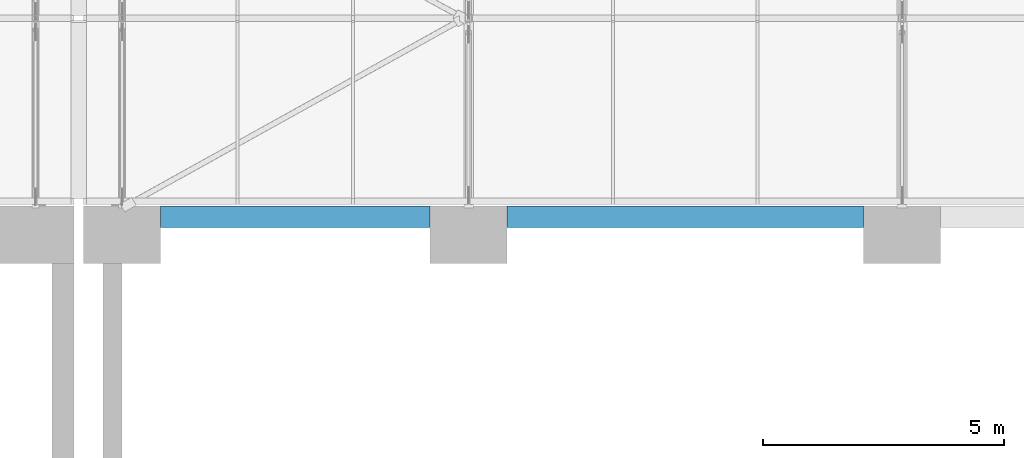
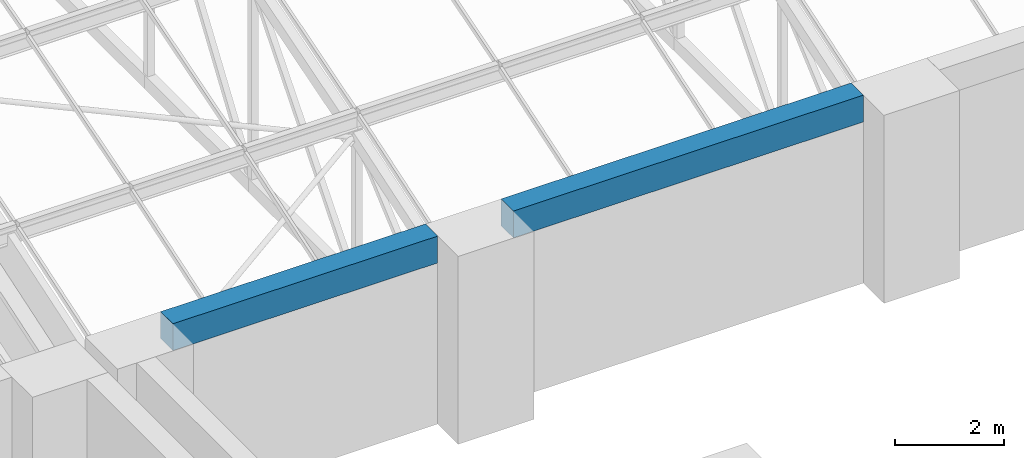
# One storey, part 4 of 82: 2 beams.
"""IFC4 building model written with IfcOpenShell, lengths in metres."""

from ifc_helpers import new_model, si_unit, direction, frame, origin, origin_2d, place, context, subcontext, project, spatial, rectangle, extrude, material, material_profile, profile_set, type_object, element, save


model = new_model("IFC4")

# Units and contexts
model_context = context("Model", 3, precision=1e-05, world=origin(), true_north=direction((0.0, 1.0)))
body_context = subcontext(model_context, "Body", "Model", "MODEL_VIEW")
ifc_project = project(units=[si_unit("LENGTHUNIT", "METRE"), si_unit("AREAUNIT", "SQUARE_METRE"), si_unit("VOLUMEUNIT", "CUBIC_METRE"), si_unit("PLANEANGLEUNIT", "RADIAN"), si_unit("MASSUNIT", "GRAM", prefix="KILO")], contexts=[model_context])

# Site, building, storey
site_placement = place(None, origin())
site = spatial("IfcSite", under=ifc_project, at=site_placement, CompositionType="ELEMENT")
building_placement = place(site_placement, origin())
building = spatial("IfcBuilding", under=site, at=building_placement, Name="Aravalli Gate Trade Fair Centre", CompositionType="ELEMENT")
storey_placement = place(building_placement, frame((0.0, 0.0, 19.199951171875)))
storey = spatial("IfcBuildingStorey", under=building, at=storey_placement, Name="L04", CompositionType="ELEMENT", Elevation=19.199951171875)

# Beams
ifc_material = material(Name="Concrete M45", Category="concrete")
ifc_material_profile = material_profile(ifc_material, rectangle(XDim=0.449951171875, YDim=0.60009765625, at=origin_2d()), Name="RC 450x600")
ifc_profile_set = profile_set([ifc_material_profile], Name="Concrete M45")
beam_type = type_object("IfcBeamType", Name="Congress RC lintel beam 450 x 600", PredefinedType="BEAM", material=ifc_profile_set)
beam_1_placement = place(storey_placement, frame((107.60009765625, 109.375, 3.900146484375), z_axis=(1.0, 0.0, 0.0), x_axis=(0.0, 1.0, 0.0)))
element("IfcBeam", 1, at=beam_1_placement, inside=storey, type_object=beam_type, Name="Lintel N L04 bay 1", PredefinedType="BEAM", context=body_context, shape_type="SweptSolid", body=[
    extrude(rectangle(XDim=0.449951171875, YDim=0.60009765625, at=origin_2d()), origin(), (0.0, 0.0, 1.0), 5.599853515625),
])
beam_2_placement = place(storey_placement, frame((114.800048828125, 109.375, 3.900146484375), z_axis=(1.0, 0.0, 0.0), x_axis=(0.0, 1.0, 0.0)))
element("IfcBeam", 2, at=beam_2_placement, inside=storey, type_object=beam_type, Name="Lintel N L04 bay 2", PredefinedType="BEAM", context=body_context, shape_type="SweptSolid", body=[
    extrude(rectangle(XDim=0.449951171875, YDim=0.60009765625, at=origin_2d()), origin(), (0.0, 0.0, 1.0), 7.39990234375),
])

save(model, "model.ifc")
